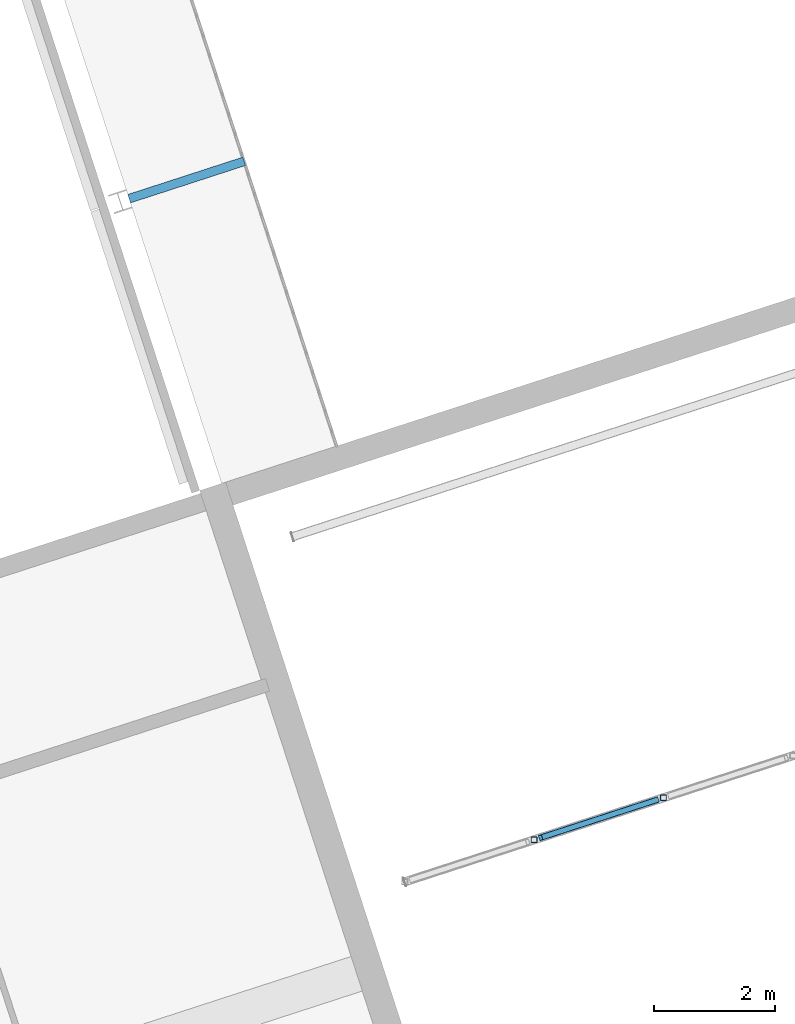
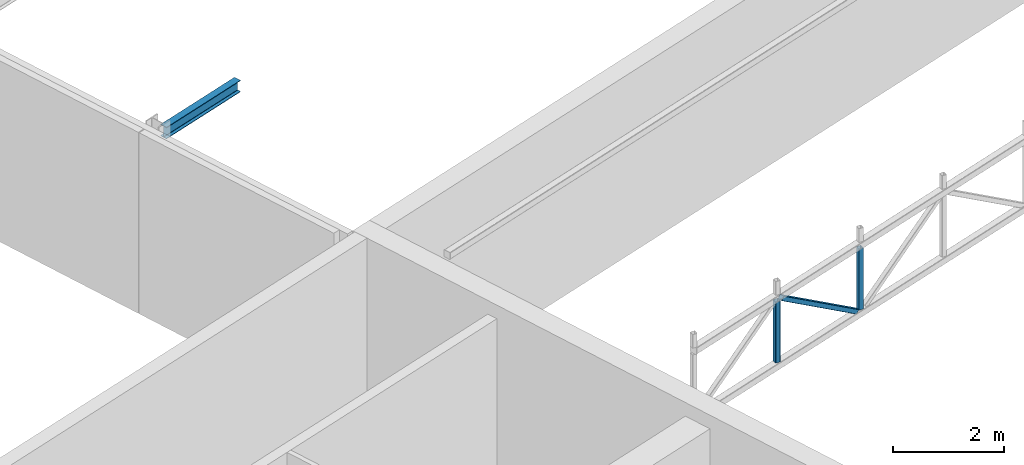
# One storey, part 19 of 81: 3 members, 1 beam.
"""IFC4 building model written with IfcOpenShell, lengths in metres."""

from ifc_helpers import new_model, si_unit, direction, frame, origin, origin_2d, place, context, subcontext, project, spatial, hollow_rectangle, i_section, extrude, material, material_profile, profile_set, type_object, element, save


model = new_model("IFC4")

# Units and contexts
model_context = context("Model", 3, precision=1e-05, world=origin(), true_north=direction((0.0, 1.0)))
body_context = subcontext(model_context, "Body", "Model", "MODEL_VIEW")
ifc_project = project(units=[si_unit("LENGTHUNIT", "METRE"), si_unit("AREAUNIT", "SQUARE_METRE"), si_unit("VOLUMEUNIT", "CUBIC_METRE"), si_unit("PLANEANGLEUNIT", "RADIAN"), si_unit("MASSUNIT", "GRAM", prefix="KILO")], contexts=[model_context])

# Site, building, storey
site_placement = place(None, origin())
site = spatial("IfcSite", under=ifc_project, at=site_placement, CompositionType="ELEMENT")
building_placement = place(site_placement, origin())
building = spatial("IfcBuilding", under=site, at=building_placement, Name="Tuart Plaza Theatre", CompositionType="ELEMENT")
storey_placement = place(building_placement, frame((0.0, 0.0, 17.5)))
storey = spatial("IfcBuildingStorey", under=building, at=storey_placement, Name="L04", CompositionType="ELEMENT", Elevation=17.5)

# Beam
ifc_material_1 = material(Name="Steel Grade 300", Category="steel")
ifc_material_profile_1 = material_profile(ifc_material_1, i_section(OverallWidth=0.14599609375, OverallDepth=0.256103515625, WebThickness=0.00634765625, FlangeThickness=0.010986328125, FilletRadius=0.0087890625, at=origin_2d()), Name="250UB37.3")
ifc_profile_set_1 = profile_set([ifc_material_profile_1], Name="Steel Grade 300")
beam_type = type_object("IfcBeamType", Name="BEAM 250UB37.3", PredefinedType="BEAM", material=ifc_profile_set_1)
beam_placement = place(storey_placement, frame((39.904052734375, 73.57568359375, 3.672119140625), z_axis=(0.951072636193, 0.308967378027, 0.0), x_axis=(-0.308967378027, 0.951072636193, 0.0)))
element("IfcBeam", 1, at=beam_placement, inside=storey, type_object=beam_type, Name="SB95", PredefinedType="BEAM", context=body_context, shape_type="SweptSolid", body=[
    extrude(i_section(OverallWidth=0.14599609375, OverallDepth=0.256103515625, WebThickness=0.00634765625, FlangeThickness=0.010986328125, FilletRadius=0.0087890625, at=origin_2d()), origin(), (0.0, 0.0, 1.0), 2.0),
])

# Members
ifc_material_2 = material(Name="Steel Grade C350L0", Category="steel")
ifc_material_profile_2 = material_profile(ifc_material_2, hollow_rectangle(XDim=0.10009765625, YDim=0.10009765625, WallThickness=0.006103515625, InnerFilletRadius=0.006103515625, OuterFilletRadius=0.011962890625, at=origin_2d()), Name="100x100x6 SHS")
ifc_profile_set_2 = profile_set([ifc_material_profile_2], Name="Steel Grade C350L0")
member_type_1 = type_object("IfcMemberType", Name="MEMBER Brace 100x100x6 SHS", PredefinedType="BRACE", material=ifc_profile_set_2)
member_placement = place(storey_placement, frame((46.70654296875, 63.010498046875, 4.03369140625), z_axis=(0.791117049064, 0.257080416527, -0.5550166431), x_axis=(-0.309050599318, 0.951045596731, 0.0)))
element("IfcMember", 2, at=member_placement, inside=storey, type_object=member_type_1, Name="BR132", PredefinedType="BRACE", context=body_context, shape_type="SweptSolid", body=[
    extrude(hollow_rectangle(XDim=0.10009765625, YDim=0.10009765625, WallThickness=0.006103515625, InnerFilletRadius=0.006103515625, OuterFilletRadius=0.011962890625, at=origin_2d()), origin(), (0.0, 0.0, 1.0), 2.43212890625),
])
ifc_material_3 = material(Name="Steel Grade C350L0", Category="steel")
ifc_material_profile_3 = material_profile(ifc_material_3, hollow_rectangle(XDim=0.10009765625, YDim=0.10009765625, WallThickness=0.006103515625, InnerFilletRadius=0.006103515625, OuterFilletRadius=0.011962890625, at=origin_2d()), Name="100x100x6 SHS")
ifc_profile_set_3 = profile_set([ifc_material_profile_3], Name="Steel Grade C350L0")
member_type_2 = type_object("IfcMemberType", Name="MEMBER Post 100x100x6 SHS", PredefinedType="POST", material=ifc_profile_set_3)
for number, where, z_axis, x_axis, name in (
    (3, (46.599609375, 62.975830078125, 2.683837890625), (0.0, 0.0, 1.0), (1.0, 0.0, 0.0), "PO162"),
    (4, (48.737548828125, 63.67041015625, 2.683837890625), (0.0, 0.0, 1.0), (1.0, 0.0, 0.0), "PO163"),
):
    element("IfcMember", number, at=place(storey_placement, frame(where, z_axis=z_axis, x_axis=x_axis)), inside=storey, type_object=member_type_2, Name=name, PredefinedType="POST", context=body_context, shape_type="SweptSolid", body=[
        extrude(hollow_rectangle(XDim=0.10009765625, YDim=0.10009765625, WallThickness=0.006103515625, InnerFilletRadius=0.006103515625, OuterFilletRadius=0.011962890625, at=origin_2d()), origin(), (0.0, 0.0, 1.0), 1.349853515625),
    ])

save(model, "model.ifc")
